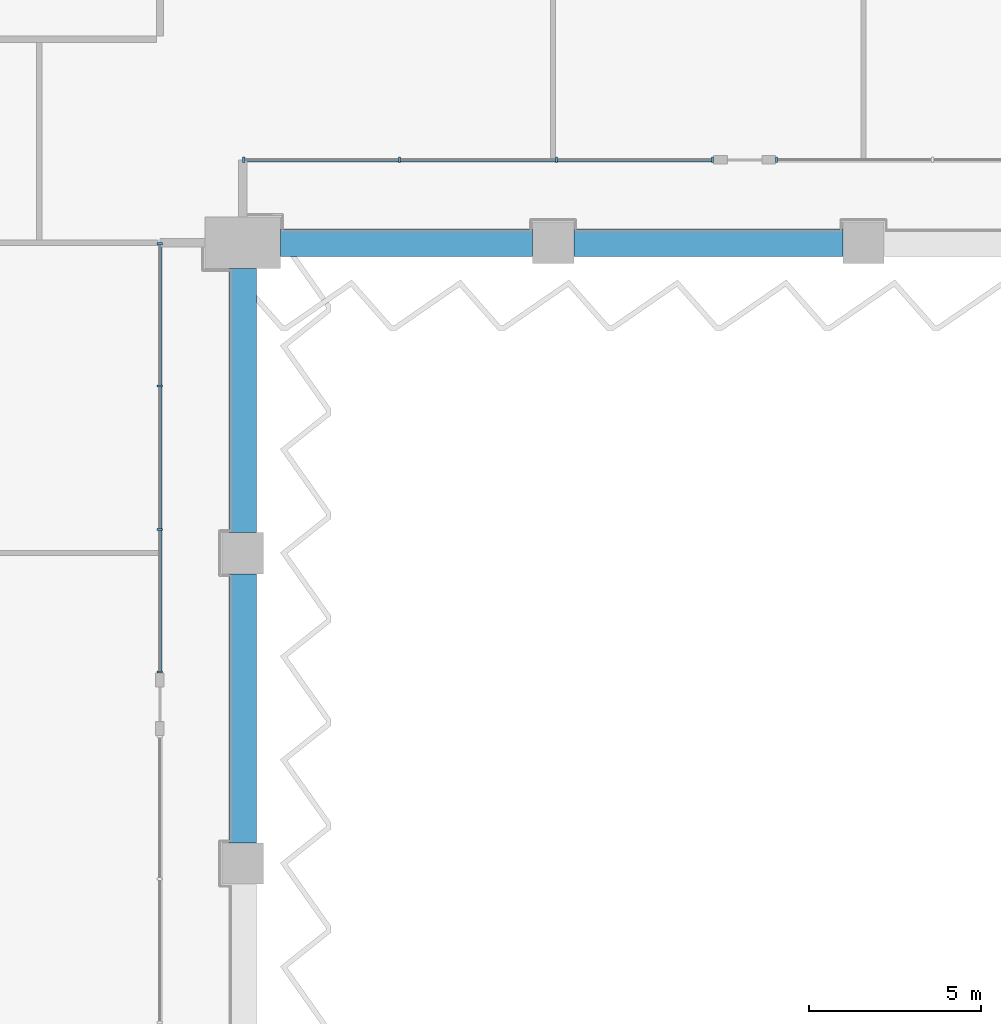
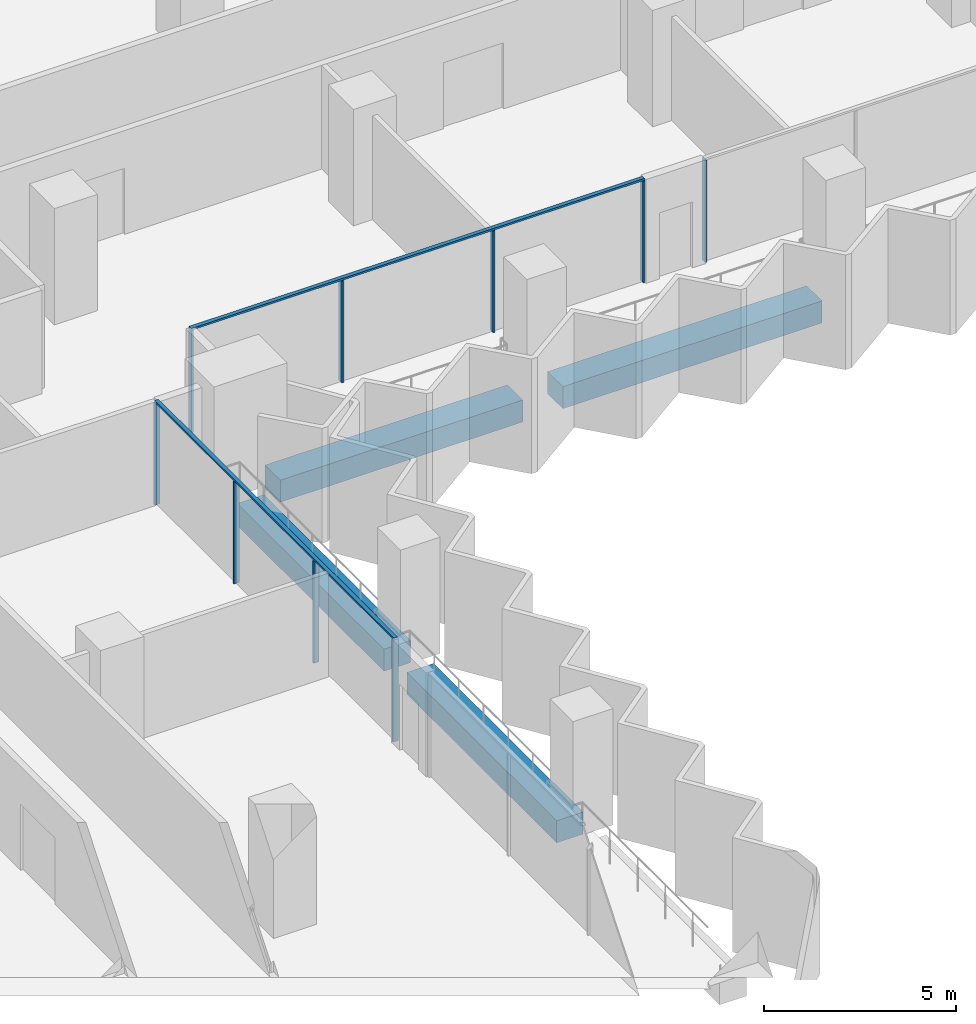
# One storey, part 4 of 23: 11 members, 4 beams, 3 elements without a shape of their own.
"""IFC4 building model written with IfcOpenShell, lengths in metres."""

from ifc_helpers import new_model, si_unit, direction, frame, origin, origin_2d, place, context, subcontext, project, spatial, rectangle, extrude, material, material_profile, profile_set, type_object, element, aggregate, save


model = new_model("IFC4")

# Units and contexts
model_context = context("Model", 3, precision=1e-05, world=origin(), true_north=direction((0.0, 1.0)))
body_context = subcontext(model_context, "Body", "Model", "MODEL_VIEW")
ifc_project = project(units=[si_unit("LENGTHUNIT", "METRE"), si_unit("AREAUNIT", "SQUARE_METRE"), si_unit("VOLUMEUNIT", "CUBIC_METRE"), si_unit("PLANEANGLEUNIT", "RADIAN"), si_unit("MASSUNIT", "GRAM", prefix="KILO")], contexts=[model_context])

# Site, building, storey
site_placement = place(None, origin())
site = spatial("IfcSite", under=ifc_project, at=site_placement, CompositionType="ELEMENT")
building_placement = place(site_placement, origin())
building = spatial("IfcBuilding", under=site, at=building_placement, Name="Hunhe Ridgeline Campus", CompositionType="ELEMENT")
storey_placement = place(building_placement, frame((0.0, 0.0, 110.699951171875)))
storey = spatial("IfcBuildingStorey", under=building, at=storey_placement, Name="L27", CompositionType="ELEMENT", Elevation=110.699951171875)

# Curtain wall, members
ifc_material_1 = material(Name="Aluminium 6063", Category="aluminium")
curtain_wall_type = type_object("IfcCurtainWallType", Name="Curtain wall CW-1", PredefinedType="NOTDEFINED", material=ifc_material_1)
curtain_wall_1_placement = place(storey_placement, origin())
curtain_wall_1 = element("IfcCurtainWall", 1, at=curtain_wall_1_placement, inside=storey, type_object=curtain_wall_type, Name="Curtain wall 12", PredefinedType="NOTDEFINED")
ifc_material_profile_1 = material_profile(ifc_material_1, rectangle(XDim=0.159912109375, YDim=0.06005859375, at=origin_2d()))
ifc_profile_set_1 = profile_set([ifc_material_profile_1], Name="Aluminium 6063")
member_type_1 = type_object("IfcMemberType", Name="CW-1 aluminium mullion", PredefinedType="MULLION", material=ifc_profile_set_1)
member_1_placement = place(storey_placement, frame((42.59912109375, 41.548583984375, 0.0), z_axis=(0.0, 0.0, 1.0), x_axis=(-0.99999999994, 1.0975712e-05, 0.0)))
member_1 = element("IfcMember", 2, at=member_1_placement, type_object=member_type_1, Name="CW-1 mullion 1", PredefinedType="MULLION", context=body_context, shape_type="SweptSolid", body=[
    extrude(rectangle(XDim=0.159912109375, YDim=0.06005859375, at=origin_2d()), origin(), (0.0, 0.0, 1.0), 3.239990234375),
])
member_2_placement = place(storey_placement, frame((42.59912109375, 45.67919921875, 0.0), z_axis=(0.0, 0.0, 1.0), x_axis=(-0.99999999994, 1.0975712e-05, 0.0)))
member_2 = element("IfcMember", 3, at=member_2_placement, type_object=member_type_1, Name="CW-1 mullion 2", PredefinedType="MULLION", context=body_context, shape_type="SweptSolid", body=[
    extrude(rectangle(XDim=0.159912109375, YDim=0.06005859375, at=origin_2d()), origin(), (0.0, 0.0, 1.0), 3.239990234375),
])
member_3_placement = place(storey_placement, frame((42.599365234375, 49.840087890625, 0.0), z_axis=(0.0, 0.0, 1.0), x_axis=(-0.99999999994, 1.0975712e-05, 0.0)))
member_3 = element("IfcMember", 4, at=member_3_placement, type_object=member_type_1, Name="CW-1 mullion 3", PredefinedType="MULLION", context=body_context, shape_type="SweptSolid", body=[
    extrude(rectangle(XDim=0.159912109375, YDim=0.06005859375, at=origin_2d()), origin(), (0.0, 0.0, 1.0), 3.239990234375),
])
member_4_placement = place(storey_placement, frame((42.599365234375, 53.970703125, 0.0), z_axis=(0.0, 0.0, 1.0), x_axis=(-0.99999999994, 1.0975712e-05, 0.0)))
member_4 = element("IfcMember", 5, at=member_4_placement, type_object=member_type_1, Name="CW-1 mullion 4", PredefinedType="MULLION", context=body_context, shape_type="SweptSolid", body=[
    extrude(rectangle(XDim=0.159912109375, YDim=0.06005859375, at=origin_2d()), origin(), (0.0, 0.0, 1.0), 3.239990234375),
])

curtain_wall_2_placement = place(storey_placement, origin())
curtain_wall_2 = element("IfcCurtainWall", 6, at=curtain_wall_2_placement, inside=storey, type_object=curtain_wall_type, Name="Curtain wall 13", PredefinedType="NOTDEFINED")
member_5_placement = place(storey_placement, frame((45.02978515625, 56.40087890625, 0.0), z_axis=(0.0, 0.0, 1.0), x_axis=(-1.4652e-07, 1.0, 0.0)))
member_5 = element("IfcMember", 7, at=member_5_placement, type_object=member_type_1, Name="CW-1 mullion 1", PredefinedType="MULLION", context=body_context, shape_type="SweptSolid", body=[
    extrude(rectangle(XDim=0.159912109375, YDim=0.06005859375, at=origin_2d()), origin(), (0.0, 0.0, 1.0), 3.239990234375),
])
member_6_placement = place(storey_placement, frame((49.5498046875, 56.40087890625, 0.0), z_axis=(0.0, 0.0, 1.0), x_axis=(-1.4652e-07, 1.0, 0.0)))
member_6 = element("IfcMember", 8, at=member_6_placement, type_object=member_type_1, Name="CW-1 mullion 2", PredefinedType="MULLION", context=body_context, shape_type="SweptSolid", body=[
    extrude(rectangle(XDim=0.159912109375, YDim=0.06005859375, at=origin_2d()), origin(), (0.0, 0.0, 1.0), 3.239990234375),
])
member_7_placement = place(storey_placement, frame((54.099609375, 56.40087890625, 0.0), z_axis=(0.0, 0.0, 1.0), x_axis=(-1.4652e-07, 1.0, 0.0)))
member_7 = element("IfcMember", 9, at=member_7_placement, type_object=member_type_1, Name="CW-1 mullion 3", PredefinedType="MULLION", context=body_context, shape_type="SweptSolid", body=[
    extrude(rectangle(XDim=0.159912109375, YDim=0.06005859375, at=origin_2d()), origin(), (0.0, 0.0, 1.0), 3.239990234375),
])
member_8_placement = place(storey_placement, frame((58.619384765625, 56.40087890625, 0.0), z_axis=(0.0, 0.0, 1.0), x_axis=(-1.4652e-07, 1.0, 0.0)))
member_8 = element("IfcMember", 10, at=member_8_placement, type_object=member_type_1, Name="CW-1 mullion 4", PredefinedType="MULLION", context=body_context, shape_type="SweptSolid", body=[
    extrude(rectangle(XDim=0.159912109375, YDim=0.06005859375, at=origin_2d()), origin(), (0.0, 0.0, 1.0), 3.239990234375),
])

# Curtain wall, member
curtain_wall_3_placement = place(storey_placement, origin())
curtain_wall_3 = element("IfcCurtainWall", 11, at=curtain_wall_3_placement, inside=storey, type_object=curtain_wall_type, Name="Curtain wall 14", PredefinedType="NOTDEFINED")
member_9_placement = place(storey_placement, frame((60.4794921875, 56.40087890625, 0.0), z_axis=(0.0, 0.0, 1.0), x_axis=(-1.4652e-07, 1.0, 0.0)))
member_9 = element("IfcMember", 12, at=member_9_placement, type_object=member_type_1, Name="CW-1 mullion 1", PredefinedType="MULLION", context=body_context, shape_type="SweptSolid", body=[
    extrude(rectangle(XDim=0.159912109375, YDim=0.06005859375, at=origin_2d()), origin(), (0.0, 0.0, 1.0), 3.239990234375),
])
aggregate(curtain_wall_3, [member_9])

# Member
ifc_material_profile_2 = material_profile(ifc_material_1, rectangle(XDim=0.1201171875, YDim=0.06005859375, at=origin_2d()))
ifc_profile_set_2 = profile_set([ifc_material_profile_2], Name="Aluminium 6063")
member_type_2 = type_object("IfcMemberType", Name="CW-1 aluminium transom", PredefinedType="USERDEFINED", material=ifc_profile_set_2)
member_10_placement = place(storey_placement, frame((42.59912109375, 41.5185546875, 3.27001953125), z_axis=(1.9559137e-05, 0.999999999809, 0.0), x_axis=(-0.999999999809, 1.9559137e-05, 0.0)))
member_10 = element("IfcMember", 13, at=member_10_placement, type_object=member_type_2, Name="CW-1 transom 1", ObjectType="TRANSOM", PredefinedType="USERDEFINED", context=body_context, shape_type="SweptSolid", body=[
    extrude(rectangle(XDim=0.1201171875, YDim=0.06005859375, at=origin_2d()), origin(), (0.0, 0.0, 1.0), 12.482177734375),
])

aggregate(curtain_wall_1, [member_10, member_1, member_2, member_3, member_4])

member_11_placement = place(storey_placement, frame((45.0, 56.40087890625, 3.27001953125), z_axis=(1.0, 0.0, 0.0), x_axis=(0.0, 1.0, 0.0)))
member_11 = element("IfcMember", 14, at=member_11_placement, type_object=member_type_2, Name="CW-1 transom 1", ObjectType="TRANSOM", PredefinedType="USERDEFINED", context=body_context, shape_type="SweptSolid", body=[
    extrude(rectangle(XDim=0.1201171875, YDim=0.06005859375, at=origin_2d()), origin(), (0.0, 0.0, 1.0), 13.6494140625),
])

aggregate(curtain_wall_2, [member_11, member_5, member_6, member_7, member_8])

# Beams
ifc_material_2 = material(Name="Concrete C60", Category="concrete")
ifc_material_profile_3 = material_profile(ifc_material_2, rectangle(XDim=0.800048828125, YDim=0.699951171875, at=origin_2d()))
ifc_profile_set_3 = profile_set([ifc_material_profile_3], Name="Concrete C60")
beam_type = type_object("IfcBeamType", Name="RC spandrel beam 800x700 Concrete C60", PredefinedType="SPANDREL", material=ifc_profile_set_3)
beam_1_placement = place(storey_placement, frame((45.0, 36.60009765625, -0.599853515625), z_axis=(0.0, 1.0, 0.0), x_axis=(-1.0, 0.0, 0.0)))
element("IfcBeam", 15, at=beam_1_placement, inside=storey, type_object=beam_type, Name="Spandrel beam B1-10 L27", PredefinedType="SPANDREL", context=body_context, shape_type="SweptSolid", body=[
    extrude(rectangle(XDim=0.800048828125, YDim=0.699951171875, at=origin_2d()), origin(), (0.0, 0.0, 1.0), 7.7998046875),
])
beam_2_placement = place(storey_placement, frame((45.0, 45.60009765625, -0.599853515625), z_axis=(0.0, 1.0, 0.0), x_axis=(-1.0, 0.0, 0.0)))
element("IfcBeam", 16, at=beam_2_placement, inside=storey, type_object=beam_type, Name="Spandrel beam B1-11 L27", PredefinedType="SPANDREL", context=body_context, shape_type="SweptSolid", body=[
    extrude(rectangle(XDim=0.800048828125, YDim=0.699951171875, at=origin_2d()), origin(), (0.0, 0.0, 1.0), 7.64990234375),
])
beam_3_placement = place(storey_placement, frame((46.10009765625, 54.0, -0.599853515625), z_axis=(1.0, 0.0, 0.0), x_axis=(0.0, 1.0, 0.0)))
element("IfcBeam", 17, at=beam_3_placement, inside=storey, type_object=beam_type, Name="Spandrel beam B1-12 L27", PredefinedType="SPANDREL", context=body_context, shape_type="SweptSolid", body=[
    extrude(rectangle(XDim=0.800048828125, YDim=0.699951171875, at=origin_2d()), origin(), (0.0, 0.0, 1.0), 7.2998046875),
])
beam_4_placement = place(storey_placement, frame((54.60009765625, 54.0, -0.599853515625), z_axis=(1.0, 0.0, 0.0), x_axis=(0.0, 1.0, 0.0)))
element("IfcBeam", 18, at=beam_4_placement, inside=storey, type_object=beam_type, Name="Spandrel beam B1-13 L27", PredefinedType="SPANDREL", context=body_context, shape_type="SweptSolid", body=[
    extrude(rectangle(XDim=0.800048828125, YDim=0.699951171875, at=origin_2d()), origin(), (0.0, 0.0, 1.0), 7.7998046875),
])

save(model, "model.ifc")
